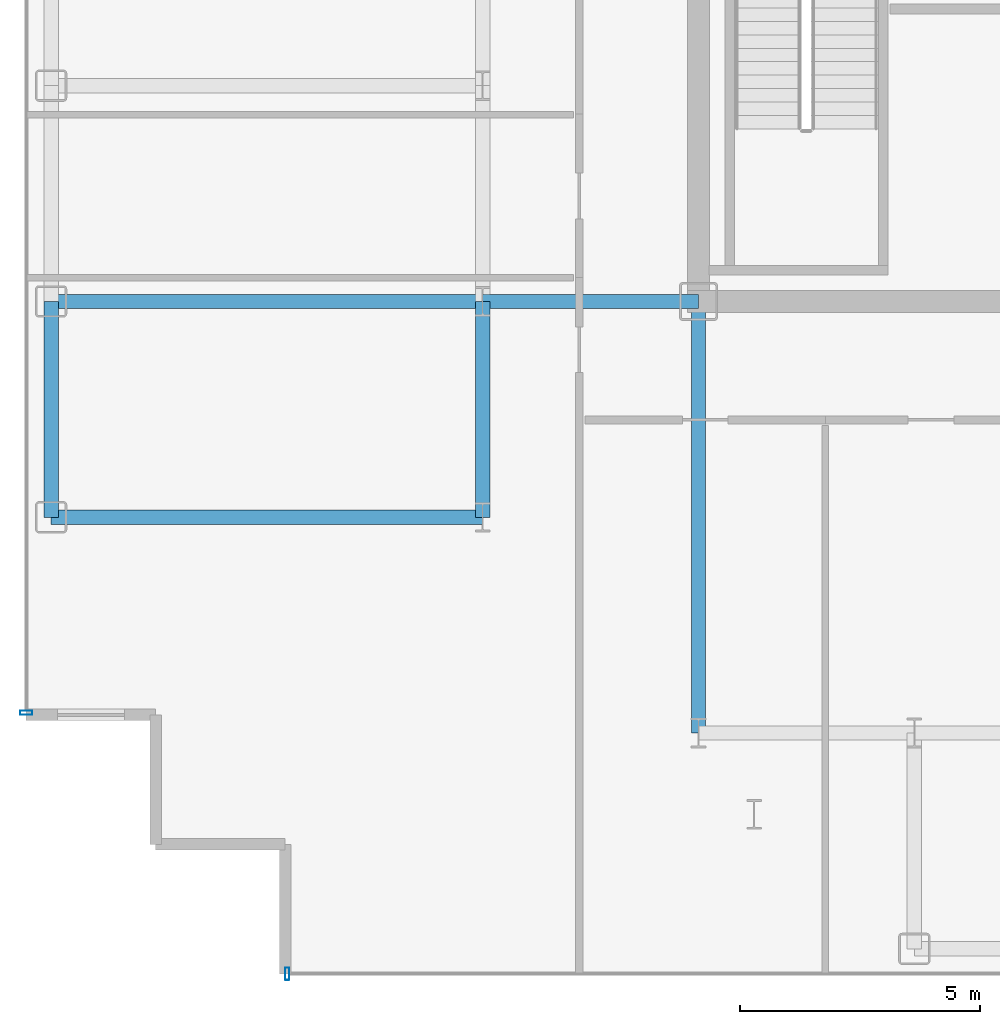
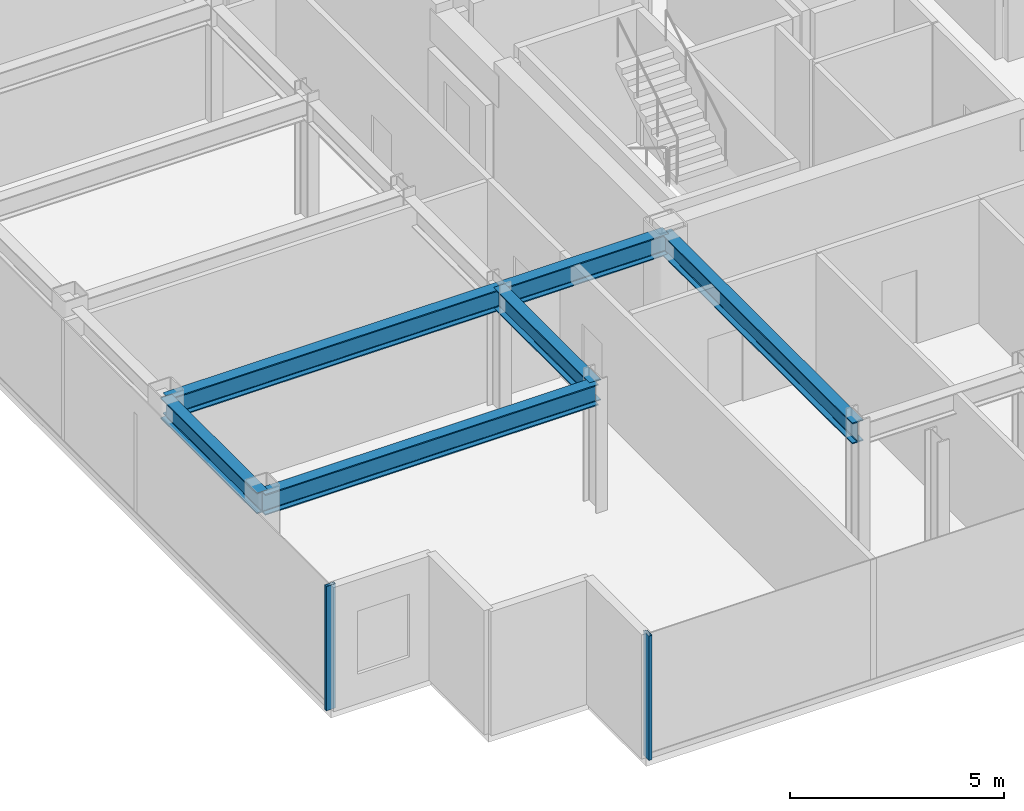
# One storey, part 2 of 18: 6 beams, 2 members, 2 elements without a shape of their own.
"""IFC4 building model written with IfcOpenShell, lengths in metres."""

from ifc_helpers import new_model, si_unit, direction, frame, origin, origin_2d, place, context, subcontext, project, spatial, hollow_rectangle, i_section, extrude, source, transform, mapped, material, layer, layer_set, material_profile, profile_set, type_object, element, aggregate, save


model = new_model("IFC4")

# Units and contexts
model_context = context("Model", 3, precision=1e-05, world=origin(), true_north=direction((0.0, 1.0)))
body_context = subcontext(model_context, "Body", "Model", "MODEL_VIEW")
ifc_project = project(units=[si_unit("LENGTHUNIT", "METRE"), si_unit("AREAUNIT", "SQUARE_METRE"), si_unit("VOLUMEUNIT", "CUBIC_METRE"), si_unit("PLANEANGLEUNIT", "RADIAN"), si_unit("MASSUNIT", "GRAM", prefix="KILO")], contexts=[model_context])

# Site, building, storey
site_placement = place(None, origin())
site = spatial("IfcSite", under=ifc_project, at=site_placement, CompositionType="ELEMENT")
building_placement = place(site_placement, origin())
building = spatial("IfcBuilding", under=site, at=building_placement, Name="Nefas-Gora Pilgrimage Tower", CompositionType="ELEMENT")
storey_placement = place(building_placement, frame((0.0, 0.0, 283.60009765625)))
storey = spatial("IfcBuildingStorey", under=building, at=storey_placement, Name="L71", CompositionType="ELEMENT", Elevation=283.60009765625)

# Beams
ifc_material_1 = material(Name="Steel S355", Category="steel")
ifc_material_profile_1 = material_profile(ifc_material_1, i_section(OverallWidth=0.300048828125, OverallDepth=0.60009765625, WebThickness=0.015380859375, FlangeThickness=0.030029296875, FilletRadius=0.027099609375, at=origin_2d()), Name="HEB 600")
ifc_profile_set_1 = profile_set([ifc_material_profile_1], Name="Steel S355")
beam_type_1 = type_object("IfcBeamType", Name="BM-SPN-HEB450", PredefinedType="SPANDREL", material=ifc_profile_set_1)
shared_shape_1 = source(origin(), body_context, "Body", "SweptSolid", [
    extrude(i_section(OverallWidth=0.300048828125, OverallDepth=0.60009765625, WebThickness=0.015380859375, FlangeThickness=0.030029296875, FilletRadius=0.027099609375, at=origin_2d()), origin(), (0.0, 0.0, 1.0), 4.5),
])
beam_placement = place(storey_placement, frame((-24.75, -13.5, 3.25), z_axis=(0.0, 1.0, 0.0), x_axis=(-1.0, 0.0, 0.0)))
element("IfcBeam", 1, at=beam_placement, inside=storey, type_object=beam_type_1, Name="L71 SP-03 beam", PredefinedType="SPANDREL", context=body_context, shape_type="MappedRepresentation", body=[
    mapped(shared_shape_1, transform((0.0, 0.0, 0.0), x_axis=(1.0, 0.0, 0.0), y_axis=(0.0, 1.0, 0.0), z_axis=(0.0, 0.0, 1.0), scale=1.0)),
])
ifc_material_profile_2 = material_profile(ifc_material_1, i_section(OverallWidth=0.300048828125, OverallDepth=0.60009765625, WebThickness=0.015380859375, FlangeThickness=0.030029296875, FilletRadius=0.027099609375, at=origin_2d()), Name="HEB 600")
ifc_profile_set_2 = profile_set([ifc_material_profile_2], Name="Steel S355")
beam_type_2 = type_object("IfcBeamType", Name="BM-GIR-HEB600", PredefinedType="BEAM", material=ifc_profile_set_2)
shared_shape_2 = source(origin(), body_context, "Body", "SweptSolid", [
    extrude(i_section(OverallWidth=0.300048828125, OverallDepth=0.60009765625, WebThickness=0.015380859375, FlangeThickness=0.030029296875, FilletRadius=0.027099609375, at=origin_2d()), origin(), (0.0, 0.0, 1.0), 9.0),
])
for number, where, z_axis, x_axis, name in (
    (2, (-24.75, -13.5, 3.25), (1.0, 0.0, 0.0), (0.0, 1.0, 0.0), "L71 G-04 beam"),
    (3, (-24.75, -9.0, 3.25), (1.0, 0.0, 0.0), (0.0, 1.0, 0.0), "L71 G-04 beam"),
    (4, (-11.25, -18.0, 3.25), (0.0, 1.0, 0.0), (-1.0, 0.0, 0.0), "L71 G-04 beam"),
):
    element("IfcBeam", number, at=place(storey_placement, frame(where, z_axis=z_axis, x_axis=x_axis)), inside=storey, type_object=beam_type_2, Name=name, PredefinedType="BEAM", context=body_context, shape_type="MappedRepresentation", body=[
        mapped(shared_shape_2, transform((0.0, 0.0, 0.0), x_axis=(1.0, 0.0, 0.0), y_axis=(0.0, 1.0, 0.0), z_axis=(0.0, 0.0, 1.0), scale=1.0)),
    ])
shared_shape_3 = source(origin(), body_context, "Body", "SweptSolid", [
    extrude(i_section(OverallWidth=0.300048828125, OverallDepth=0.60009765625, WebThickness=0.015380859375, FlangeThickness=0.030029296875, FilletRadius=0.027099609375, at=origin_2d()), origin(), (0.0, 0.0, 1.0), 4.5),
])
for number, where, z_axis, x_axis, name in (
    (5, (-15.75, -13.5, 3.25), (0.0, 1.0, 0.0), (-1.0, 0.0, 0.0), "L71 G-04 beam"),
    (6, (-15.75, -9.0, 3.25), (1.0, 0.0, 0.0), (0.0, 1.0, 0.0), "L71 G-04 beam"),
):
    element("IfcBeam", number, at=place(storey_placement, frame(where, z_axis=z_axis, x_axis=x_axis)), inside=storey, type_object=beam_type_2, Name=name, PredefinedType="BEAM", context=body_context, shape_type="MappedRepresentation", body=[
        mapped(shared_shape_3, transform((0.0, 0.0, 0.0), x_axis=(1.0, 0.0, 0.0), y_axis=(0.0, 1.0, 0.0), z_axis=(0.0, 0.0, 1.0), scale=1.0)),
    ])

# Curtain wall, member
ifc_material_2 = material(Name="Dark ceramic-fritted solar-control aluminium-glass curtain wall", Category="aluminium")
ifc_layer = layer(ifc_material_2, 0.219970703125)
ifc_layer_set = layer_set([ifc_layer], Name="Dark ceramic-fritted solar-control aluminium-glass curtain wall")
curtain_wall_type = type_object("IfcCurtainWallType", Name="CW-SYS-4", PredefinedType="NOTDEFINED", material=ifc_layer_set)
curtain_wall_1_placement = place(storey_placement, origin())
curtain_wall_1 = element("IfcCurtainWall", 7, at=curtain_wall_1_placement, inside=storey, type_object=curtain_wall_type, Name="L71 Unitised Curtain Wall CW4", PredefinedType="NOTDEFINED")
ifc_material_3 = material(Name="Anodised architectural aluminium", Category="aluminium")
ifc_material_profile_3 = material_profile(ifc_material_3, hollow_rectangle(XDim=0.090087890625, YDim=0.260009765625, WallThickness=0.006103515625, InnerFilletRadius=0.006103515625, OuterFilletRadius=0.011962890625, at=origin_2d()), Name="ALU MULLION 90x260")
ifc_profile_set_3 = profile_set([ifc_material_profile_3], Name="Anodised architectural aluminium")
member_type = type_object("IfcMemberType", Name="CWM-MUL-4", PredefinedType="MULLION", material=ifc_profile_set_3)
shared_shape_4 = source(origin(), body_context, "Body", "SweptSolid", [
    extrude(hollow_rectangle(XDim=0.090087890625, YDim=0.260009765625, WallThickness=0.006103515625, InnerFilletRadius=0.006103515625, OuterFilletRadius=0.011962890625, at=origin_2d()), origin(), (0.0, 0.0, 1.0), 3.5498046875),
])
member_1_placement = place(storey_placement, frame((-25.27001953125, -17.574951171875, 0.0), z_axis=(0.0, 0.0, 1.0), x_axis=(0.0, -1.0, 0.0)))
member_1 = element("IfcMember", 8, at=member_1_placement, type_object=member_type, Name="CW4 Mullion 3", PredefinedType="MULLION", context=body_context, shape_type="MappedRepresentation", body=[
    mapped(shared_shape_4, transform((0.0, 0.0, 0.0), x_axis=(1.0, 0.0, 0.0), y_axis=(0.0, 1.0, 0.0), z_axis=(0.0, 0.0, 1.0), scale=1.0)),
])
aggregate(curtain_wall_1, [member_1])

curtain_wall_2_placement = place(storey_placement, origin())
curtain_wall_2 = element("IfcCurtainWall", 9, at=curtain_wall_2_placement, inside=storey, type_object=curtain_wall_type, Name="L71 Unitised Curtain Wall CW4", PredefinedType="NOTDEFINED")
member_2_placement = place(storey_placement, frame((-19.824951171875, -23.02001953125, 0.0), z_axis=(0.0, 0.0, 1.0), x_axis=(1.0, 0.0, 0.0)))
member_2 = element("IfcMember", 10, at=member_2_placement, type_object=member_type, Name="CW4 Mullion 1", PredefinedType="MULLION", context=body_context, shape_type="MappedRepresentation", body=[
    mapped(shared_shape_4, transform((0.0, 0.0, 0.0), x_axis=(1.0, 0.0, 0.0), y_axis=(0.0, 1.0, 0.0), z_axis=(0.0, 0.0, 1.0), scale=1.0)),
])
aggregate(curtain_wall_2, [member_2])

save(model, "model.ifc")
